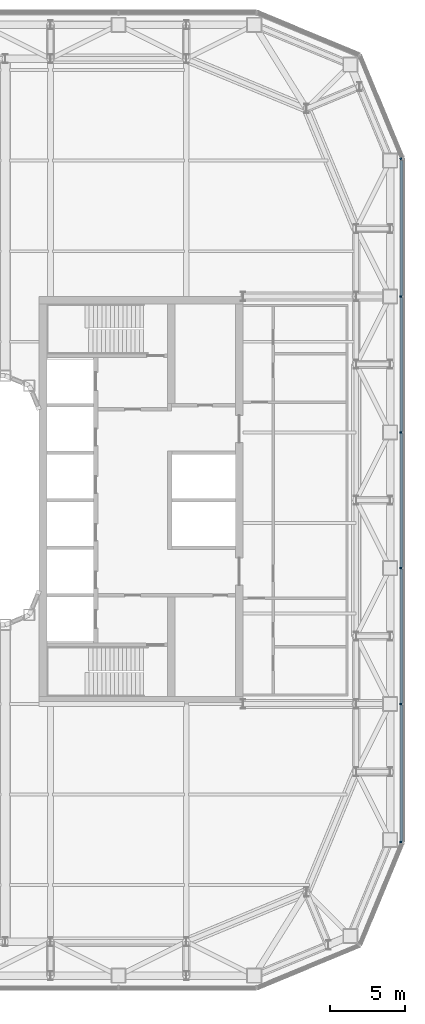
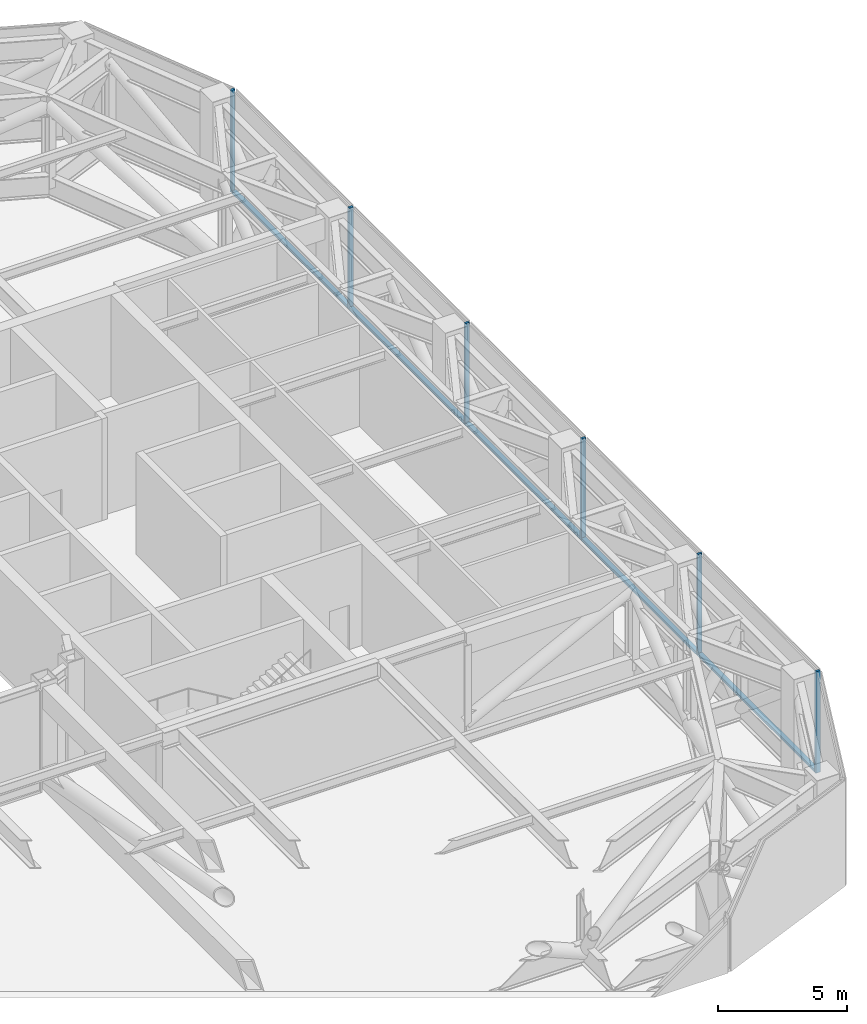
# One storey, part 13 of 33: 11 members, 2 elements without a shape of their own.
"""IFC4 building model written with IfcOpenShell, lengths in metres."""

import ifcopenshell
import ifcopenshell.guid

model = None  # the IFC model being written
_history = None  # IfcOwnerHistory: only IFC2X3 demands one
_inside = {}  # id of a spatial element -> (the spatial element, [elements in it])
_under = {}  # id of a project, library or spatial element -> (it, [spatial elements below it])
_declared = {}  # id of a project -> (the project, [libraries it declares])
_typed = {}  # id of a type object -> (the type object, [elements of that type])
_made_of = {}  # id of a material, layer set ... -> (it, [elements and type objects made of it])


def new_model(schema):
    """Start an empty IFC model of exactly this schema.

    Asked for "IFC4X3", IfcOpenShell would pick the latest addendum, in which some entities
    have other attributes; the version numbers below select the first issue.
    IFC2X3 requires an IfcOwnerHistory on every rooted entity: one is made here for all.
    """
    global model, _history
    if schema == "IFC4X3":
        model = ifcopenshell.file(schema_version=(4, 3, 0, 0))
    else:
        model = ifcopenshell.file(schema=schema)
    _inside.clear()
    _under.clear()
    _declared.clear()
    _typed.clear()
    _made_of.clear()
    _history = None
    if model.schema == "IFC2X3":
        org = make("IfcOrganization", Name="unknown")
        user = make(
            "IfcPersonAndOrganization",
            ThePerson=make("IfcPerson", FamilyName="unknown"),
            TheOrganization=org,
        )
        app = make(
            "IfcApplication",
            ApplicationDeveloper=org,
            Version="unknown",
            ApplicationFullName="unknown",
            ApplicationIdentifier="unknown",
        )
        _history = make(
            "IfcOwnerHistory",
            OwningUser=user,
            OwningApplication=app,
            ChangeAction="ADDED",
            CreationDate=0,
        )
    return model


def make(cls, **values):
    """One entity of the class cls with the attributes given. An attribute that is None is left unset."""
    return model.create_entity(
        cls, **{name: value for name, value in values.items() if value is not None}
    )


def rooted(cls, **values):
    """An entity with a GlobalId (a new one), such as an element, a storey or a relation."""
    return make(cls, GlobalId=ifcopenshell.guid.new(), OwnerHistory=_history, **values)


def si_unit(unit_type, name, prefix=None):
    """IfcSIUnit, for example si_unit("LENGTHUNIT", "METRE", prefix="MILLI")."""
    return make("IfcSIUnit", UnitType=unit_type, Prefix=prefix, Name=name)


def assignment(units):
    """IfcUnitAssignment: the units of a project."""
    return None if units is None else make("IfcUnitAssignment", Units=units)


def point(xyz):
    """IfcCartesianPoint."""
    return None if xyz is None else make("IfcCartesianPoint", Coordinates=xyz)


def direction(xyz):
    """IfcDirection."""
    return None if xyz is None else make("IfcDirection", DirectionRatios=xyz)


def frame(location, z_axis=None, x_axis=None):
    """IfcAxis2Placement3D, a coordinate frame: its origin and axes. An axis left out is left unset."""
    return make(
        "IfcAxis2Placement3D",
        Location=point(location),
        Axis=direction(z_axis),
        RefDirection=direction(x_axis),
    )


def frame_2d(location, x_axis=None):
    """IfcAxis2Placement2D, a coordinate frame in the plane: its origin and x axis."""
    return make(
        "IfcAxis2Placement2D", Location=point(location), RefDirection=direction(x_axis)
    )


def origin():
    """The frame at (0, 0, 0) with its axes left unset."""
    return frame((0.0, 0.0, 0.0))


def origin_2d():
    """The frame at (0, 0) in the plane with its x axis left unset."""
    return frame_2d((0.0, 0.0))


def place(relative_to, where):
    """IfcLocalPlacement: puts the frame where relative to a parent placement (None: the world)."""
    return make(
        "IfcLocalPlacement", PlacementRelTo=relative_to, RelativePlacement=where
    )


def context(
    kind, dimensions, precision=None, world=None, true_north=None, identifier=None
):
    """IfcGeometricRepresentationContext, for example the 3D "Model" context."""
    return make(
        "IfcGeometricRepresentationContext",
        ContextIdentifier=identifier,
        ContextType=kind,
        CoordinateSpaceDimension=dimensions,
        Precision=precision,
        WorldCoordinateSystem=world,
        TrueNorth=true_north,
    )


def subcontext(parent, identifier, kind, view, scale=None):
    """IfcGeometricRepresentationSubContext, for example "Body" below "Model"."""
    return make(
        "IfcGeometricRepresentationSubContext",
        ContextIdentifier=identifier,
        ContextType=kind,
        ParentContext=parent,
        TargetScale=scale,
        TargetView=view,
    )


def project(units=None, contexts=None):
    """IfcProject with its units and contexts."""
    return rooted(
        "IfcProject",
        Name="project",
        RepresentationContexts=contexts,
        UnitsInContext=assignment(units),
    )


def spatial(cls, under=None, at=None, **own):
    """A site, building, storey or space (cls), placed at a placement, below another one or the project."""
    s = rooted(cls, ObjectPlacement=at, **own)
    if under is not None:
        _under.setdefault(under.id(), (under, []))[1].append(s)
    return s


def profile(cls, at=None, kind="AREA", **sizes):
    """A parametric profile (cls). Its sizes go by their IFC names, for example OverallWidth=200.0."""
    return make(cls, ProfileType=kind, Position=at, **sizes)


def rectangle(**sizes):
    """IfcRectangleProfileDef."""
    return profile("IfcRectangleProfileDef", **sizes)


def extrude(swept, where, along, depth):
    """IfcExtrudedAreaSolid: the profile swept, set in the frame where, extruded along a direction by depth."""
    return make(
        "IfcExtrudedAreaSolid",
        SweptArea=swept,
        Position=where,
        ExtrudedDirection=direction(along),
        Depth=depth,
    )


def shape(context_of_items, identifier, shape_type, items):
    """IfcShapeRepresentation: the items that make up one representation, for example the "Body"."""
    return make(
        "IfcShapeRepresentation",
        ContextOfItems=context_of_items,
        RepresentationIdentifier=identifier,
        RepresentationType=shape_type,
        Items=items,
    )


def material(Name=None, Category=None):
    """IfcMaterial."""
    return make("IfcMaterial", Name=Name, Category=Category)


def layer(
    of_material, thickness, ventilated=None, Name=None, Category=None, Priority=None
):
    """IfcMaterialLayer: one layer of a wall or slab, of a material (None: an air gap)."""
    return make(
        "IfcMaterialLayer",
        Material=of_material,
        LayerThickness=thickness,
        IsVentilated=ventilated,
        Name=Name,
        Category=Category,
        Priority=Priority,
    )


def layer_set(layers, Name=None):
    """IfcMaterialLayerSet."""
    return make("IfcMaterialLayerSet", MaterialLayers=layers, LayerSetName=Name)


def material_profile(
    of_material, cross_section, Name=None, Category=None, Priority=None
):
    """IfcMaterialProfile: a cross section and its material."""
    return make(
        "IfcMaterialProfile",
        Name=Name,
        Material=of_material,
        Profile=cross_section,
        Priority=Priority,
        Category=Category,
    )


def profile_set(profiles, Name=None, composite=None):
    """IfcMaterialProfileSet."""
    return make(
        "IfcMaterialProfileSet",
        Name=Name,
        MaterialProfiles=profiles,
        CompositeProfile=composite,
    )


def made_of(thing, what):
    """Note that an element or type object is made of a material, layer set ...; save() writes the relation."""
    if what is not None:
        _made_of.setdefault(what.id(), (what, []))[1].append(thing)
    return thing


def type_object(cls, material=None, **own):
    """A type object (cls), such as IfcWallType, which elements share."""
    return made_of(rooted(cls, **own), material)


def element(
    cls,
    number,
    at=None,
    inside=None,
    cuts=None,
    type_object=None,
    material=None,
    context=None,
    identifier="Body",
    shape_type=None,
    held_by="IfcProductDefinitionShape",
    body=None,
    shapes=None,
    **own,
):
    """One element of the class cls, such as IfcWall. Its Tag is "e" and its number.

    at: its placement. inside: the storey or other place that contains it. cuts: it is an
    opening in that element (IfcRelVoidsElement). A single representation is given by context,
    identifier, shape_type and body (its items); several are given by shapes. held_by: the class
    of the entity that holds the representations. save() writes the other relations.
    """
    e = rooted(cls, Tag="e%d" % number, ObjectPlacement=at, **own)
    if body is not None:
        shapes = [shape(context, identifier, shape_type, body)]
    if shapes is not None:
        e.Representation = make(held_by, Representations=shapes)
    if inside is not None:
        _inside.setdefault(inside.id(), (inside, []))[1].append(e)
    if cuts is not None:
        rooted(
            "IfcRelVoidsElement", RelatingBuildingElement=cuts, RelatedOpeningElement=e
        )
    if type_object is not None:
        _typed.setdefault(type_object.id(), (type_object, []))[1].append(e)
    return made_of(e, material)


def aggregate(whole, parts):
    """IfcRelAggregates: a whole, such as a stair, and the parts it consists of."""
    return rooted("IfcRelAggregates", RelatingObject=whole, RelatedObjects=parts)


def save(model, path):
    """Write the relations noted so far, then the file.

    IfcRelAggregates (storeys below a building ...), IfcRelContainedInSpatialStructure (elements
    in a storey), IfcRelDefinesByType, IfcRelAssociatesMaterial and IfcRelDeclares: one each for
    every whole, place, type object, material and project.
    """
    for whole, parts in _under.values():
        aggregate(whole, parts)
    for where, things in _inside.values():
        rooted(
            "IfcRelContainedInSpatialStructure",
            RelatedElements=things,
            RelatingStructure=where,
        )
    for kind, things in _typed.values():
        rooted("IfcRelDefinesByType", RelatedObjects=things, RelatingType=kind)
    for what, things in _made_of.values():
        rooted("IfcRelAssociatesMaterial", RelatedObjects=things, RelatingMaterial=what)
    for by, libraries in _declared.values():
        rooted("IfcRelDeclares", RelatingContext=by, RelatedDefinitions=libraries)
    model.write(path)


model = new_model("IFC4")

# Units and contexts
model_context = context("Model", 3, precision=1e-05, world=origin(), true_north=direction((0.0, 1.0)))
body_context = subcontext(model_context, "Body", "Model", "MODEL_VIEW")
ifc_project = project(units=[si_unit("LENGTHUNIT", "METRE"), si_unit("AREAUNIT", "SQUARE_METRE"), si_unit("VOLUMEUNIT", "CUBIC_METRE"), si_unit("PLANEANGLEUNIT", "RADIAN"), si_unit("MASSUNIT", "GRAM", prefix="KILO")], contexts=[model_context])

# Site, building, storey
site_placement = place(None, origin())
site = spatial("IfcSite", under=ifc_project, at=site_placement, CompositionType="ELEMENT")
building_placement = place(site_placement, origin())
building = spatial("IfcBuilding", under=site, at=building_placement, Name="Siwar Civic Tower", CompositionType="ELEMENT")
storey_placement = place(building_placement, frame((0.0, 0.0, 94.199951171875)))
storey = spatial("IfcBuildingStorey", under=building, at=storey_placement, Name="L20", CompositionType="ELEMENT", Elevation=94.199951171875)

# Curtain wall, members
ifc_material_1 = material(Name="Aluminium and glass", Category="aluminium")
ifc_layer = layer(ifc_material_1, 0.199951171875)
ifc_layer_set = layer_set([ifc_layer], Name="Aluminium and glass")
curtain_wall_type = type_object("IfcCurtainWallType", Name="ENV-CW-P", PredefinedType="NOTDEFINED", material=ifc_layer_set)
curtain_wall_1_placement = place(storey_placement, origin())
curtain_wall_1 = element("IfcCurtainWall", 1, at=curtain_wall_1_placement, inside=storey, type_object=curtain_wall_type, Name="Curtain wall P E", PredefinedType="NOTDEFINED")
ifc_material_2 = material(Name="Aluminium 6063-T6", Category="aluminium")
ifc_material_profile_1 = material_profile(ifc_material_2, rectangle(XDim=0.199951171875, YDim=0.10009765625, at=origin_2d()), Name="AL 200x100")
ifc_profile_set_1 = profile_set([ifc_material_profile_1], Name="Aluminium 6063-T6")
member_type_1 = type_object("IfcMemberType", Name="ENV-MULLION-P", PredefinedType="MULLION", material=ifc_profile_set_1)
member_1_placement = place(storey_placement, frame((32.25, -22.649169921875, 0.0), z_axis=(0.0, 0.0, 1.0), x_axis=(-1.0, 0.0, 0.0)))
member_1 = element("IfcMember", 2, at=member_1_placement, type_object=member_type_1, Name="Mullion P E 1", PredefinedType="MULLION", context=body_context, shape_type="SweptSolid", body=[
    extrude(rectangle(XDim=0.199951171875, YDim=0.10009765625, at=origin_2d()), origin(), (0.0, 0.0, 1.0), 4.800048828125),
])
member_2_placement = place(storey_placement, frame((32.25, -13.5, 0.0), z_axis=(0.0, 0.0, 1.0), x_axis=(-1.0, 0.0, 0.0)))
member_2 = element("IfcMember", 3, at=member_2_placement, type_object=member_type_1, Name="Mullion P E 2", PredefinedType="MULLION", context=body_context, shape_type="SweptSolid", body=[
    extrude(rectangle(XDim=0.199951171875, YDim=0.10009765625, at=origin_2d()), origin(), (0.0, 0.0, 1.0), 4.800048828125),
])
member_3_placement = place(storey_placement, frame((32.25, -4.5, 0.0), z_axis=(0.0, 0.0, 1.0), x_axis=(-1.0, 0.0, 0.0)))
member_3 = element("IfcMember", 4, at=member_3_placement, type_object=member_type_1, Name="Mullion P E 3", PredefinedType="MULLION", context=body_context, shape_type="SweptSolid", body=[
    extrude(rectangle(XDim=0.199951171875, YDim=0.10009765625, at=origin_2d()), origin(), (0.0, 0.0, 1.0), 4.800048828125),
])
member_4_placement = place(storey_placement, frame((32.25, 4.5, 0.0), z_axis=(0.0, 0.0, 1.0), x_axis=(-1.0, 0.0, 0.0)))
member_4 = element("IfcMember", 5, at=member_4_placement, type_object=member_type_1, Name="Mullion P E 4", PredefinedType="MULLION", context=body_context, shape_type="SweptSolid", body=[
    extrude(rectangle(XDim=0.199951171875, YDim=0.10009765625, at=origin_2d()), origin(), (0.0, 0.0, 1.0), 4.800048828125),
])
member_5_placement = place(storey_placement, frame((32.25, 13.5, 0.0), z_axis=(0.0, 0.0, 1.0), x_axis=(-1.0, 0.0, 0.0)))
member_5 = element("IfcMember", 6, at=member_5_placement, type_object=member_type_1, Name="Mullion P E 5", PredefinedType="MULLION", context=body_context, shape_type="SweptSolid", body=[
    extrude(rectangle(XDim=0.199951171875, YDim=0.10009765625, at=origin_2d()), origin(), (0.0, 0.0, 1.0), 4.800048828125),
])

# Curtain wall, member
curtain_wall_2_placement = place(storey_placement, origin())
curtain_wall_2 = element("IfcCurtainWall", 7, at=curtain_wall_2_placement, inside=storey, type_object=curtain_wall_type, Name="Curtain wall P NE1", PredefinedType="NOTDEFINED")
member_6_placement = place(storey_placement, frame((32.25, 22.649169921875, 0.0), z_axis=(0.0, 0.0, 1.0), x_axis=(-0.923879532511, -0.382683432365, 0.0)))
member_6 = element("IfcMember", 8, at=member_6_placement, type_object=member_type_1, Name="Mullion P NE1 1", PredefinedType="MULLION", context=body_context, shape_type="SweptSolid", body=[
    extrude(rectangle(XDim=0.199951171875, YDim=0.10009765625, at=origin_2d()), origin(), (0.0, 0.0, 1.0), 4.800048828125),
])
aggregate(curtain_wall_2, [member_6])

# Member
ifc_material_3 = material(Name="Aluminium 6063-T6", Category="aluminium")
ifc_material_profile_2 = material_profile(ifc_material_3, rectangle(XDim=0.199951171875, YDim=0.1201171875, at=origin_2d()), Name="AL 200x120")
ifc_profile_set_2 = profile_set([ifc_material_profile_2], Name="Aluminium 6063-T6")
member_type_2 = type_object("IfcMemberType", Name="ENV-TRANSOM-P", PredefinedType="USERDEFINED", material=ifc_profile_set_2)
member_7_placement = place(storey_placement, frame((32.25, -22.59912109375, 0.06005859375), z_axis=(0.0, 1.0, 0.0), x_axis=(-1.0, 0.0, 0.0)))
member_7 = element("IfcMember", 9, at=member_7_placement, type_object=member_type_2, Name="Transom P E 1", ObjectType="TRANSOM", PredefinedType="USERDEFINED", context=body_context, shape_type="SweptSolid", body=[
    extrude(rectangle(XDim=0.199951171875, YDim=0.1201171875, at=origin_2d()), origin(), (0.0, 0.0, 1.0), 9.049072265625),
])

member_8_placement = place(storey_placement, frame((32.25, -13.449951171875, 0.06005859375), z_axis=(0.0, 1.0, 0.0), x_axis=(-1.0, 0.0, 0.0)))
member_8 = element("IfcMember", 10, at=member_8_placement, type_object=member_type_2, Name="Transom P E 2", ObjectType="TRANSOM", PredefinedType="USERDEFINED", context=body_context, shape_type="SweptSolid", body=[
    extrude(rectangle(XDim=0.199951171875, YDim=0.1201171875, at=origin_2d()), origin(), (0.0, 0.0, 1.0), 8.89990234375),
])

member_9_placement = place(storey_placement, frame((32.25, -4.449951171875, 0.06005859375), z_axis=(0.0, 1.0, 0.0), x_axis=(-1.0, 0.0, 0.0)))
member_9 = element("IfcMember", 11, at=member_9_placement, type_object=member_type_2, Name="Transom P E 3", ObjectType="TRANSOM", PredefinedType="USERDEFINED", context=body_context, shape_type="SweptSolid", body=[
    extrude(rectangle(XDim=0.199951171875, YDim=0.1201171875, at=origin_2d()), origin(), (0.0, 0.0, 1.0), 8.89990234375),
])

member_10_placement = place(storey_placement, frame((32.25, 4.550048828125, 0.06005859375), z_axis=(0.0, 1.0, 0.0), x_axis=(-1.0, 0.0, 0.0)))
member_10 = element("IfcMember", 12, at=member_10_placement, type_object=member_type_2, Name="Transom P E 4", ObjectType="TRANSOM", PredefinedType="USERDEFINED", context=body_context, shape_type="SweptSolid", body=[
    extrude(rectangle(XDim=0.199951171875, YDim=0.1201171875, at=origin_2d()), origin(), (0.0, 0.0, 1.0), 8.89990234375),
])

member_11_placement = place(storey_placement, frame((32.25, 13.550048828125, 0.06005859375), z_axis=(0.0, 1.0, 0.0), x_axis=(-1.0, 0.0, 0.0)))
member_11 = element("IfcMember", 13, at=member_11_placement, type_object=member_type_2, Name="Transom P E 5", ObjectType="TRANSOM", PredefinedType="USERDEFINED", context=body_context, shape_type="SweptSolid", body=[
    extrude(rectangle(XDim=0.199951171875, YDim=0.1201171875, at=origin_2d()), origin(), (0.0, 0.0, 1.0), 8.97314453125),
])

aggregate(curtain_wall_1, [member_1, member_2, member_3, member_4, member_5, member_7, member_8, member_9, member_10, member_11])

save(model, "model.ifc")
